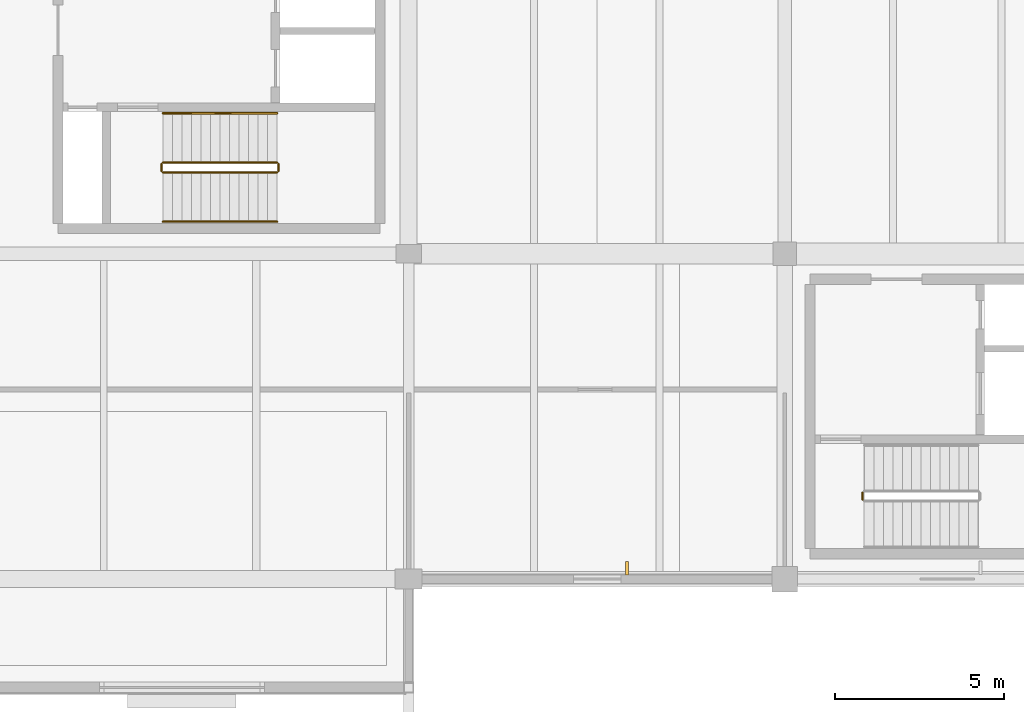
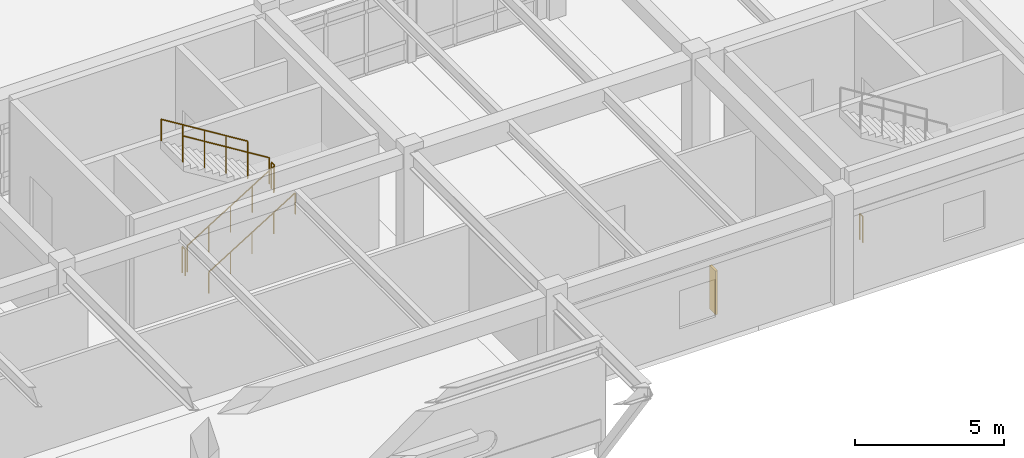
# One storey, part 104 of 109: 7 railings, 1 shading device.
"""IFC4 building model written with IfcOpenShell, lengths in metres."""

from ifc_helpers import new_model, si_unit, direction, frame, origin, origin_2d, place, context, subcontext, project, spatial, rectangle, circle, extrude, material, type_object, element, save


model = new_model("IFC4")

# Units and contexts
model_context = context("Model", 3, precision=1e-05, world=origin(), true_north=direction((0.0, 1.0)))
body_context = subcontext(model_context, "Body", "Model", "MODEL_VIEW")
ifc_project = project(units=[si_unit("LENGTHUNIT", "METRE"), si_unit("AREAUNIT", "SQUARE_METRE"), si_unit("VOLUMEUNIT", "CUBIC_METRE"), si_unit("PLANEANGLEUNIT", "RADIAN"), si_unit("MASSUNIT", "GRAM", prefix="KILO")], contexts=[model_context])

# Site, building, storey
site_placement = place(None, origin())
site = spatial("IfcSite", under=ifc_project, at=site_placement, CompositionType="ELEMENT")
building_placement = place(site_placement, origin())
building = spatial("IfcBuilding", under=site, at=building_placement, Name="Fikremerkos Civic Library", CompositionType="ELEMENT")
storey_placement = place(building_placement, frame((0.0, 0.0, 5.39990234375)))
storey = spatial("IfcBuildingStorey", under=building, at=storey_placement, Name="L01", CompositionType="ELEMENT", Elevation=5.39990234375)

# Railings
ifc_material_1 = material(Name="Painted Steel S275", Category="steel")
railing_type_1 = type_object("IfcRailingType", Name="Interior balustrade guard RLG-INT 1100", PredefinedType="BALUSTRADE", material=ifc_material_1)
railing_1_placement = place(storey_placement, frame((106.449951171875, 24.0, 0.173095703125)))
element("IfcRailing", 1, at=railing_1_placement, inside=storey, type_object=railing_type_1, Name="L01 ST-K2 stair guard 1", PredefinedType="BALUSTRADE", context=body_context, shape_type="SweptSolid", body=[
    extrude(circle(Radius=0.02392578125, at=origin_2d()), frame((0.0, 0.0, 1.076171875), z_axis=(0.850623216509, 0.0, 0.525775754039), x_axis=(0.0, 1.0, 0.0)), (0.0, 0.0, 1.0), 3.9501953125),
    extrude(circle(Radius=0.02099609375, at=origin_2d()), origin(), (0.0, 0.0, 1.0), 1.052001953125),
    extrude(circle(Radius=0.02099609375, at=origin_2d()), frame((0.840087890625, 0.0, 0.519287109375)), (0.0, 0.0, 1.0), 1.052001953125),
    extrude(circle(Radius=0.02099609375, at=origin_2d()), frame((1.68017578125, 0.0, 1.03857421875)), (0.0, 0.0, 1.0), 1.052001953125),
    extrude(circle(Radius=0.02099609375, at=origin_2d()), frame((2.52001953125, 0.0, 1.5576171875)), (0.0, 0.0, 1.0), 1.052001953125),
    extrude(circle(Radius=0.02099609375, at=origin_2d()), frame((3.360107421875, 0.0, 2.076904296875)), (0.0, 0.0, 1.0), 1.052001953125),
])
railing_2_placement = place(storey_placement, frame((109.860107421875, 24.050048828125, 2.25)))
element("IfcRailing", 2, at=railing_2_placement, inside=storey, type_object=railing_type_1, Name="L01 ST-K2 stair guard 2", PredefinedType="BALUSTRADE", context=body_context, shape_type="SweptSolid", body=[
    extrude(circle(Radius=0.02392578125, at=origin_2d()), frame((0.0, 0.0, 1.076171875), z_axis=(0.0, 1.0, 0.0), x_axis=(-1.0, 0.0, 0.0)), (0.0, 0.0, 1.0), 0.199951171875),
    extrude(circle(Radius=0.02099609375, at=origin_2d()), origin(), (0.0, 0.0, 1.0), 1.052001953125),
    extrude(circle(Radius=0.02099609375, at=origin_2d()), frame((0.0, 0.199951171875, 0.0)), (0.0, 0.0, 1.0), 1.052001953125),
])
railing_3_placement = place(storey_placement, frame((109.81005859375, 24.300048828125, 2.423095703125)))
element("IfcRailing", 3, at=railing_3_placement, inside=storey, type_object=railing_type_1, Name="L01 ST-K2 stair guard 3", PredefinedType="BALUSTRADE", context=body_context, shape_type="SweptSolid", body=[
    extrude(circle(Radius=0.02392578125, at=origin_2d()), frame((0.0, 0.0, 1.076171875), z_axis=(-0.850623216509, 0.0, 0.525775754039), x_axis=(0.0, -1.0, 0.0)), (0.0, 0.0, 1.0), 3.9501953125),
    extrude(circle(Radius=0.02099609375, at=origin_2d()), origin(), (0.0, 0.0, 1.0), 1.052001953125),
    extrude(circle(Radius=0.02099609375, at=origin_2d()), frame((-0.840087890625, 0.0, 0.519287109375)), (0.0, 0.0, 1.0), 1.052001953125),
    extrude(circle(Radius=0.02099609375, at=origin_2d()), frame((-1.68017578125, 0.0, 1.03857421875)), (0.0, 0.0, 1.0), 1.052001953125),
    extrude(circle(Radius=0.02099609375, at=origin_2d()), frame((-2.52001953125, 0.0, 1.5576171875)), (0.0, 0.0, 1.0), 1.052001953125),
    extrude(circle(Radius=0.02099609375, at=origin_2d()), frame((-3.360107421875, 0.0, 2.076904296875)), (0.0, 0.0, 1.0), 1.052001953125),
])
for number, where, name in (
    (4, (106.39990234375, 24.050048828125, 0.0), "L01 ST-K2 stair guard 4"),
    (5, (127.10009765625, 14.35009765625, 0.0), "L01 ST-K4 stair guard 4"),
):
    element("IfcRailing", number, at=place(storey_placement, frame(where)), inside=storey, type_object=railing_type_1, Name=name, PredefinedType="BALUSTRADE", context=body_context, shape_type="SweptSolid", body=[
        extrude(circle(Radius=0.02392578125, at=origin_2d()), frame((0.0, 0.0, 1.076171875), z_axis=(0.0, 1.0, 0.0), x_axis=(-1.0, 0.0, 0.0)), (0.0, 0.0, 1.0), 0.199951171875),
        extrude(circle(Radius=0.02099609375, at=origin_2d()), origin(), (0.0, 0.0, 1.0), 1.052001953125),
        extrude(circle(Radius=0.02099609375, at=origin_2d()), frame((0.0, 0.199951171875, 0.0)), (0.0, 0.0, 1.0), 1.052001953125),
    ])

# Shading device
ifc_material_2 = material(Name="Bronze anodized aluminium", Category="aluminium")
shading_device_type = type_object("IfcShadingDeviceType", Name="Perforated bronze vertical solar fin SHD-02", PredefinedType="USERDEFINED", material=ifc_material_2)
shading_device_placement = place(storey_placement, frame((120.142578125, 12.324951171875, 0.8251953125), z_axis=(0.0, 0.0, 1.0), x_axis=(1.0, 0.0, 0.0)))
element("IfcShadingDevice", 6, at=shading_device_placement, inside=storey, type_object=shading_device_type, Name="Vertical bronze solar fin SHD-02 L01 #22", ObjectType="SOLAR FIN", PredefinedType="USERDEFINED", context=body_context, shape_type="SweptSolid", body=[
    extrude(rectangle(XDim=0.080078125, YDim=0.39990234375, at=origin_2d()), origin(), (0.0, 0.0, 1.0), 1.800048828125),
])

# Railings
ifc_material_3 = material(Name="Brushed stainless steel", Category="steel")
railing_type_2 = type_object("IfcRailingType", Name="Wall and flight handrail HRL-01 900", PredefinedType="HANDRAIL", material=ifc_material_3)
railing_4_placement = place(storey_placement, frame((106.449951171875, 22.550048828125, 0.173095703125)))
element("IfcRailing", 7, at=railing_4_placement, inside=storey, type_object=railing_type_2, Name="L01 ST-K2 stair handrail 1", PredefinedType="HANDRAIL", context=body_context, shape_type="SweptSolid", body=[
    extrude(circle(Radius=0.02392578125, at=origin_2d()), frame((0.0, 0.0, 0.8759765625), z_axis=(0.850623216509, 0.0, 0.525775754039), x_axis=(0.0, 1.0, 0.0)), (0.0, 0.0, 1.0), 3.9501953125),
    extrude(circle(Radius=0.02099609375, at=origin_2d()), origin(), (0.0, 0.0, 1.0), 0.851806640625),
    extrude(circle(Radius=0.02099609375, at=origin_2d()), frame((0.840087890625, 0.0, 0.519287109375)), (0.0, 0.0, 1.0), 0.851806640625),
    extrude(circle(Radius=0.02099609375, at=origin_2d()), frame((1.68017578125, 0.0, 1.03857421875)), (0.0, 0.0, 1.0), 0.851806640625),
    extrude(circle(Radius=0.02099609375, at=origin_2d()), frame((2.52001953125, 0.0, 1.5576171875)), (0.0, 0.0, 1.0), 0.851806640625),
    extrude(circle(Radius=0.02099609375, at=origin_2d()), frame((3.360107421875, 0.0, 2.076904296875)), (0.0, 0.0, 1.0), 0.851806640625),
])
railing_5_placement = place(storey_placement, frame((109.81005859375, 25.75, 2.423095703125)))
element("IfcRailing", 8, at=railing_5_placement, inside=storey, type_object=railing_type_2, Name="L01 ST-K2 stair handrail 2", PredefinedType="HANDRAIL", context=body_context, shape_type="SweptSolid", body=[
    extrude(circle(Radius=0.02392578125, at=origin_2d()), frame((0.0, 0.0, 0.8759765625), z_axis=(-0.850623216509, 0.0, 0.525775754039), x_axis=(0.0, -1.0, 0.0)), (0.0, 0.0, 1.0), 3.9501953125),
    extrude(circle(Radius=0.02099609375, at=origin_2d()), origin(), (0.0, 0.0, 1.0), 0.851806640625),
    extrude(circle(Radius=0.02099609375, at=origin_2d()), frame((-0.840087890625, 0.0, 0.519287109375)), (0.0, 0.0, 1.0), 0.851806640625),
    extrude(circle(Radius=0.02099609375, at=origin_2d()), frame((-1.68017578125, 0.0, 1.03857421875)), (0.0, 0.0, 1.0), 0.851806640625),
    extrude(circle(Radius=0.02099609375, at=origin_2d()), frame((-2.52001953125, 0.0, 1.5576171875)), (0.0, 0.0, 1.0), 0.851806640625),
    extrude(circle(Radius=0.02099609375, at=origin_2d()), frame((-3.360107421875, 0.0, 2.076904296875)), (0.0, 0.0, 1.0), 0.851806640625),
])

save(model, "model.ifc")
